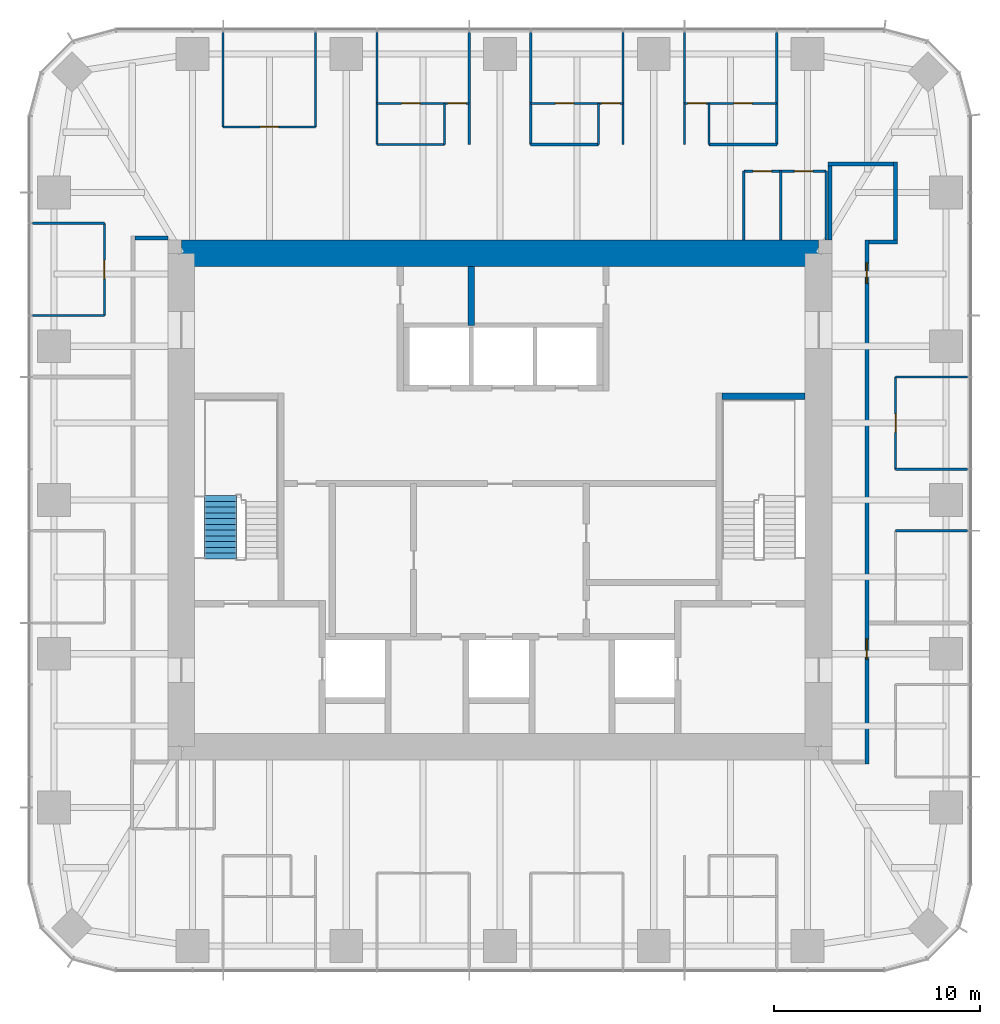
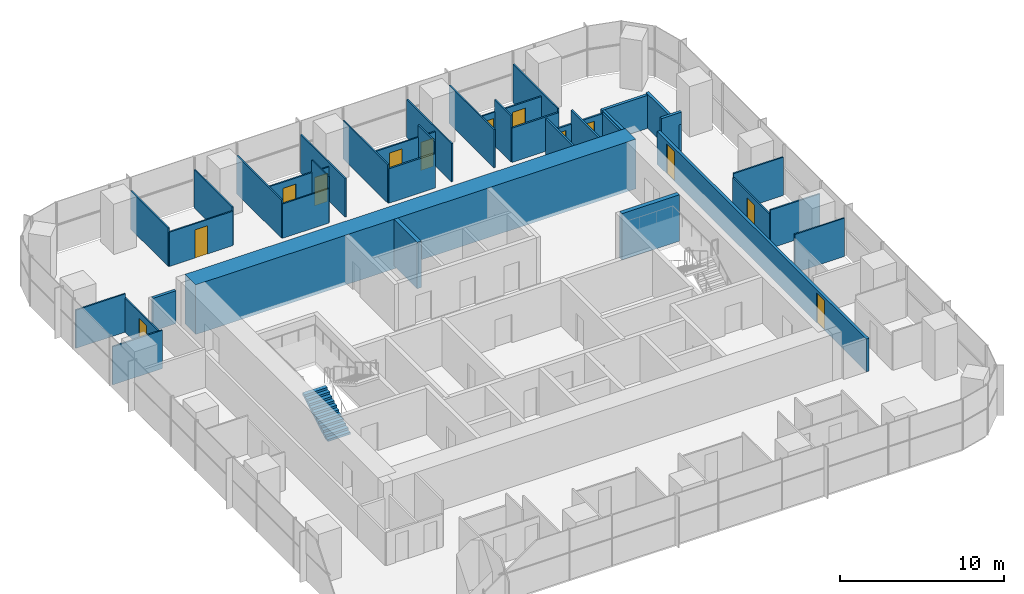
# One storey, part 11 of 13: 38 walls, 13 doors, 1 stair flight, 13 openings, 1 element without a shape of its own.
"""IFC4 building model written with IfcOpenShell, lengths in metres."""

from ifc_helpers import new_model, si_unit, direction, frame, frame_2d, origin, place, context, subcontext, project, spatial, polyline, rectangle, outline, extrude, material, layer, layer_set, type_object, element, fill, aggregate, save


model = new_model("IFC4")

# Units and contexts
model_context = context("Model", 3, precision=1e-05, world=origin(), true_north=direction((0.0, 1.0)))
body_context = subcontext(model_context, "Body", "Model", "MODEL_VIEW")
ifc_project = project(units=[si_unit("LENGTHUNIT", "METRE"), si_unit("AREAUNIT", "SQUARE_METRE"), si_unit("VOLUMEUNIT", "CUBIC_METRE"), si_unit("PLANEANGLEUNIT", "RADIAN"), si_unit("MASSUNIT", "GRAM", prefix="KILO")], contexts=[model_context])

# Site, building, storey
site_placement = place(None, origin())
site = spatial("IfcSite", under=ifc_project, at=site_placement, CompositionType="ELEMENT")
building_placement = place(site_placement, origin())
building = spatial("IfcBuilding", under=site, at=building_placement, Name="Khuree Lantern Residences", CompositionType="ELEMENT")
storey_placement = place(building_placement, frame((0.0, 0.0, 349.5)))
storey = spatial("IfcBuildingStorey", under=building, at=storey_placement, Name="L88", CompositionType="ELEMENT", Elevation=349.5)

# Walls
ifc_material_1 = material(Name="Moisture-resistant gypsum board on steel studs", Category="steel")
ifc_layer_1 = layer(ifc_material_1, 0.125)
ifc_layer_set_1 = layer_set([ifc_layer_1], Name="BATHROOM WALL BTW125")
wall_type_1 = type_object("IfcWallType", Name="BATHROOM WALL BTW125", PredefinedType="PARTITIONING", material=ifc_layer_set_1)
wall_1_placement = place(storey_placement, frame((13.464111328125, 17.29638671875, 0.0), z_axis=(0.0, 0.0, 1.0), x_axis=(-1.0, 0.0, 0.0)))
element("IfcWall", 1, at=wall_1_placement, inside=storey, type_object=wall_type_1, Name="L88 BATHROOM WALL 01", PredefinedType="PARTITIONING", context=body_context, shape_type="SweptSolid", body=[
    extrude(rectangle(XDim=3.2880859375, YDim=0.125, at=frame_2d((1.64404296875, 0.0))), origin(), (0.0, 0.0, 1.0), 2.56005859375),
])
wall_2_placement = place(storey_placement, frame((4.783935546875, 17.29638671875, 0.0), z_axis=(0.0, 0.0, 1.0), x_axis=(-1.0, 0.0, 0.0)))
element("IfcWall", 2, at=wall_2_placement, inside=storey, type_object=wall_type_1, Name="L88 BATHROOM WALL 01", PredefinedType="PARTITIONING", context=body_context, shape_type="SweptSolid", body=[
    extrude(rectangle(XDim=3.287841796875, YDim=0.125, at=frame_2d((1.64404296875, 0.0))), origin(), (0.0, 0.0, 1.0), 2.56005859375),
])

# Wall, openings, doors
wall_3_placement = place(storey_placement, frame((15.866455078125, 15.996337890625, 0.0), z_axis=(0.0, 0.0, 1.0), x_axis=(-1.0, 0.0, 0.0)))
wall_3 = element("IfcWall", 3, at=wall_3_placement, inside=storey, type_object=wall_type_1, Name="L88 BATHROOM WALL 01", PredefinedType="PARTITIONING", context=body_context, shape_type="SweptSolid", body=[
    extrude(rectangle(XDim=4.0, YDim=0.125, at=frame_2d((2.0, 0.0))), origin(), (0.0, 0.0, 1.0), 2.449951171875),
])
opening_1_placement = place(wall_3_placement, frame((0.64990234375, 0.0, 0.0)))
opening_1 = element("IfcOpeningElement", 4, at=opening_1_placement, cuts=wall_3, Name="Opening 88-032", PredefinedType="OPENING", context=body_context, shape_type="SweptSolid", body=[
    extrude(rectangle(XDim=0.89990234375, YDim=2.10009765625, at=frame_2d((0.449951171875, 1.050048828125))), frame((0.0, 0.072509765625, 0.0), z_axis=(0.0, -1.0, 0.0), x_axis=(1.0, 0.0, 0.0)), (0.0, 0.0, 1.0), 0.14501953125),
])
opening_2_placement = place(wall_3_placement, frame((2.64990234375, 0.0, 0.0)))
opening_2 = element("IfcOpeningElement", 5, at=opening_2_placement, cuts=wall_3, Name="Opening 88-033", PredefinedType="OPENING", context=body_context, shape_type="SweptSolid", body=[
    extrude(rectangle(XDim=0.89990234375, YDim=2.10009765625, at=frame_2d((0.449951171875, 1.050048828125))), frame((0.0, 0.072509765625, 0.0), z_axis=(0.0, -1.0, 0.0), x_axis=(1.0, 0.0, 0.0)), (0.0, 0.0, 1.0), 0.14501953125),
])
ifc_material_2 = material(Name="Timber door leaf in hardwood frame", Category="wood")
door_type_1 = type_object("IfcDoorType", Name="BATHROOM DOOR 900X2100", OperationType="SINGLE_SWING_LEFT", PredefinedType="DOOR", material=ifc_material_2)
door_1_placement = place(opening_1_placement, origin())
door_1 = element("IfcDoor", 6, at=door_1_placement, inside=storey, type_object=door_type_1, Name="Bathroom door 88-032", OperationType="SINGLE_SWING_LEFT", OverallHeight=2.10009765625, OverallWidth=0.89990234375, PredefinedType="DOOR", context=body_context, shape_type="SweptSolid", body=[
    extrude(rectangle(XDim=0.89990234375, YDim=2.10009765625, at=frame_2d((0.449951171875, 1.050048828125))), frame((0.0, 0.02490234375, 0.0), z_axis=(0.0, -1.0, 0.0), x_axis=(1.0, 0.0, 0.0)), (0.0, 0.0, 1.0), 0.050048828125),
])
fill(opening_1, door_1)
door_type_2 = type_object("IfcDoorType", Name="DOOR 900X2100", OperationType="SINGLE_SWING_LEFT", PredefinedType="DOOR", material=ifc_material_2)
door_2_placement = place(opening_2_placement, origin())
door_2 = element("IfcDoor", 7, at=door_2_placement, inside=storey, type_object=door_type_2, Name="Store door 88-033", OperationType="SINGLE_SWING_LEFT", OverallHeight=2.10009765625, OverallWidth=0.89990234375, PredefinedType="DOOR", context=body_context, shape_type="SweptSolid", body=[
    extrude(rectangle(XDim=0.89990234375, YDim=2.10009765625, at=frame_2d((0.449951171875, 1.050048828125))), frame((0.0, 0.02490234375, 0.0), z_axis=(0.0, -1.0, 0.0), x_axis=(1.0, 0.0, 0.0)), (0.0, 0.0, 1.0), 0.050048828125),
])
fill(opening_2, door_2)

# Walls
wall_4_placement = place(storey_placement, frame((15.866455078125, 12.64990234375, 0.0), z_axis=(0.0, 0.0, 1.0), x_axis=(0.0, 1.0, 0.0)))
element("IfcWall", 8, at=wall_4_placement, inside=storey, type_object=wall_type_1, Name="L88 BATHROOM WALL 01", PredefinedType="PARTITIONING", context=body_context, shape_type="SweptSolid", body=[
    extrude(rectangle(XDim=3.346435546875, YDim=0.125, at=frame_2d((1.67333984375, 0.0))), origin(), (0.0, 0.0, 1.0), 2.449951171875),
])
for number, where, z_axis, x_axis, name in (
    (9, (13.66650390625, 12.64990234375, 0.0), (0.0, 0.0, 1.0), (0.0, 1.0, 0.0), "L88 BATHROOM WALL 01"),
    (10, (11.866455078125, 12.64990234375, 0.0), (0.0, 0.0, 1.0), (0.0, 1.0, 0.0), "L88 BATHROOM WALL 01"),
):
    element("IfcWall", number, at=place(storey_placement, frame(where, z_axis=z_axis, x_axis=x_axis)), inside=storey, type_object=wall_type_1, Name=name, PredefinedType="PARTITIONING", context=body_context, shape_type="SweptSolid", body=[
        extrude(rectangle(XDim=3.346435546875, YDim=0.125, at=frame_2d((1.67333984375, 0.0))), origin(), (0.0, 0.0, 1.0), 3.449951171875),
    ])
ifc_material_3 = material(Name="Dense concrete blockwork", Category="masonry")
ifc_layer_2 = layer(ifc_material_3, 0.300048828125)
ifc_layer_set_2 = layer_set([ifc_layer_2], Name="CORE PARTITION WALL CPW300 EI 120")
wall_type_2 = type_object("IfcWallType", Name="CORE PARTITION WALL CPW300 EI 120", PredefinedType="PARTITIONING", material=ifc_layer_set_2)
wall_5_placement = place(storey_placement, frame((-1.39990234375, 8.5, 0.0), z_axis=(0.0, 0.0, 1.0), x_axis=(0.0, 1.0, 0.0)))
element("IfcWall", 11, at=wall_5_placement, inside=storey, type_object=wall_type_2, Name="L88 CORE WALL NX", PredefinedType="PARTITIONING", context=body_context, shape_type="SweptSolid", body=[
    extrude(rectangle(XDim=2.85009765625, YDim=0.300048828125, at=frame_2d((1.425048828125, 0.0))), origin(), (0.0, 0.0, 1.0), 3.449951171875),
])
ifc_material_4 = material(Name="Gypsum board on steel studs", Category="steel")
ifc_layer_3 = layer(ifc_material_4, 0.199951171875)
ifc_layer_set_3 = layer_set([ifc_layer_3], Name="CORRIDOR WALL CRW200 EI 60")
wall_type_3 = type_object("IfcWallType", Name="CORRIDOR WALL CRW200 EI 60", PredefinedType="PARTITIONING", material=ifc_layer_set_3)
wall_6_placement = place(storey_placement, frame((17.949951171875, 12.550048828125, 0.0), z_axis=(0.0, 0.0, 1.0), x_axis=(1.0, 0.0, 0.0)))
element("IfcWall", 12, at=wall_6_placement, inside=storey, type_object=wall_type_3, Name="L88 RESIDENTS LOUNGE WALL", PredefinedType="PARTITIONING", context=body_context, shape_type="SweptSolid", body=[
    extrude(rectangle(XDim=1.400146484375, YDim=0.199951171875, at=frame_2d((0.7001953125, 0.0))), origin(), (0.0, 0.0, 1.0), 3.449951171875),
])
wall_7_placement = place(storey_placement, frame((19.25, 12.449951171875, 0.0), z_axis=(0.0, 0.0, 1.0), x_axis=(0.0, 1.0, 0.0)))
element("IfcWall", 13, at=wall_7_placement, inside=storey, type_object=wall_type_3, Name="L88 RESIDENTS LOUNGE WALL", PredefinedType="PARTITIONING", context=body_context, shape_type="SweptSolid", body=[
    extrude(rectangle(XDim=4.0, YDim=0.199951171875, at=frame_2d((2.0, 0.0))), origin(), (0.0, 0.0, 1.0), 2.550048828125),
])
wall_8_placement = place(storey_placement, frame((19.14990234375, 16.35009765625, 0.0), z_axis=(0.0, 0.0, 1.0), x_axis=(-1.0, 0.0, 0.0)))
element("IfcWall", 14, at=wall_8_placement, inside=storey, type_object=wall_type_3, Name="L88 RESIDENTS LOUNGE WALL", PredefinedType="PARTITIONING", context=body_context, shape_type="SweptSolid", body=[
    extrude(rectangle(XDim=3.199951171875, YDim=0.199951171875, at=frame_2d((1.60009765625, 0.0))), origin(), (0.0, 0.0, 1.0), 2.449951171875),
])
wall_9_placement = place(storey_placement, frame((16.050048828125, 16.449951171875, 0.0), z_axis=(0.0, 0.0, 1.0), x_axis=(0.0, -1.0, 0.0)))
element("IfcWall", 15, at=wall_9_placement, inside=storey, type_object=wall_type_3, Name="L88 RESIDENTS LOUNGE WALL", PredefinedType="PARTITIONING", context=body_context, shape_type="SweptSolid", body=[
    extrude(rectangle(XDim=3.800048828125, YDim=0.199951171875, at=frame_2d((1.89990234375, 0.0))), origin(), (0.0, 0.0, 1.0), 2.449951171875),
])
wall_10_placement = place(storey_placement, frame((-16.14990234375, 12.75, 0.0), z_axis=(0.0, 0.0, 1.0), x_axis=(-1.0, 0.0, 0.0)))
element("IfcWall", 16, at=wall_10_placement, inside=storey, type_object=wall_type_3, Name="L88 WEST CORRIDOR NORTH END WALL", PredefinedType="PARTITIONING", context=body_context, shape_type="SweptSolid", body=[
    extrude(rectangle(XDim=1.60009765625, YDim=0.199951171875, at=frame_2d((0.800048828125, 0.0))), origin(), (0.0, 0.0, 1.0), 2.449951171875),
])

# Wall, openings, doors
wall_11_placement = place(storey_placement, frame((17.85009765625, -12.85009765625, 0.0), z_axis=(0.0, 0.0, 1.0), x_axis=(0.0, 1.0, 0.0)))
wall_11 = element("IfcWall", 17, at=wall_11_placement, inside=storey, type_object=wall_type_3, Name="L88 CORRIDOR WALL EAST 1", PredefinedType="PARTITIONING", context=body_context, shape_type="SweptSolid", body=[
    extrude(rectangle(XDim=25.5, YDim=0.199951171875, at=frame_2d((12.75, 0.0))), origin(), (0.0, 0.0, 1.0), 2.449951171875),
])
opening_3_placement = place(wall_11_placement, frame((23.385986328125, 0.0, 0.0)))
opening_3 = element("IfcOpeningElement", 18, at=opening_3_placement, cuts=wall_11, Name="Opening 88-034", PredefinedType="OPENING", context=body_context, shape_type="SweptSolid", body=[
    extrude(rectangle(XDim=1.0, YDim=2.199951171875, at=frame_2d((0.5, 1.10009765625))), frame((0.0, 0.10986328125, 0.0), z_axis=(0.0, -1.0, 0.0), x_axis=(1.0, 0.0, 0.0)), (0.0, 0.0, 1.0), 0.219970703125),
])
opening_4_placement = place(wall_11_placement, frame((5.10009765625, 0.0, 0.0)))
opening_4 = element("IfcOpeningElement", 19, at=opening_4_placement, cuts=wall_11, Name="Opening 88-045", PredefinedType="OPENING", context=body_context, shape_type="SweptSolid", body=[
    extrude(rectangle(XDim=1.0, YDim=2.199951171875, at=frame_2d((0.5, 1.10009765625))), frame((0.0, 0.10986328125, 0.0), z_axis=(0.0, -1.0, 0.0), x_axis=(1.0, 0.0, 0.0)), (0.0, 0.0, 1.0), 0.219970703125),
])
door_type_3 = type_object("IfcDoorType", Name="APARTMENT ENTRANCE DOOR 1000X2200 EI 30S", OperationType="SINGLE_SWING_LEFT", PredefinedType="DOOR", material=ifc_material_2)
door_3_placement = place(opening_3_placement, origin())
door_3 = element("IfcDoor", 20, at=door_3_placement, inside=storey, type_object=door_type_3, Name="Apartment 01 entrance door 88-034", OperationType="SINGLE_SWING_LEFT", OverallHeight=2.199951171875, OverallWidth=1.0, PredefinedType="DOOR", context=body_context, shape_type="SweptSolid", body=[
    extrude(rectangle(XDim=1.0, YDim=2.199951171875, at=frame_2d((0.5, 1.10009765625))), frame((0.0, 0.02490234375, 0.0), z_axis=(0.0, -1.0, 0.0), x_axis=(1.0, 0.0, 0.0)), (0.0, 0.0, 1.0), 0.050048828125),
])
fill(opening_3, door_3)
door_4_placement = place(opening_4_placement, origin())
door_4 = element("IfcDoor", 21, at=door_4_placement, inside=storey, type_object=door_type_3, Name="Apartment 02 entrance door 88-045", OperationType="SINGLE_SWING_LEFT", OverallHeight=2.199951171875, OverallWidth=1.0, PredefinedType="DOOR", context=body_context, shape_type="SweptSolid", body=[
    extrude(rectangle(XDim=1.0, YDim=2.199951171875, at=frame_2d((0.5, 1.10009765625))), frame((0.0, 0.02490234375, 0.0), z_axis=(0.0, -1.0, 0.0), x_axis=(1.0, 0.0, 0.0)), (0.0, 0.0, 1.0), 0.050048828125),
])
fill(opening_4, door_4)

# Walls
ifc_material_5 = material(Name="Concrete C50/60", Category="concrete")
ifc_layer_4 = layer(ifc_material_5, 1.300048828125)
ifc_layer_set_4 = layer_set([ifc_layer_4], Name="CW1300-C50 CORE WALL C50 1300")
wall_type_4 = type_object("IfcWallType", Name="CW1300-C50 CORE WALL C50 1300", PredefinedType="SHEAR", material=ifc_layer_set_4)
wall_12_placement = place(storey_placement, frame((-15.5, 12.0, -0.25), z_axis=(0.0, 0.0, 1.0), x_axis=(1.0, 0.0, 0.0)))
element("IfcWall", 22, at=wall_12_placement, inside=storey, type_object=wall_type_4, Name="Core wall N", PredefinedType="SHEAR", context=body_context, shape_type="SweptSolid", body=[
    extrude(rectangle(XDim=31.0, YDim=1.300048828125, at=frame_2d((15.5, 0.0))), origin(), (0.0, 0.0, 1.0), 3.699951171875),
])
ifc_layer_5 = layer(ifc_material_4, 0.10009765625)
ifc_layer_set_5 = layer_set([ifc_layer_5], Name="PARTITION PT100")
wall_type_5 = type_object("IfcWallType", Name="PARTITION PT100", PredefinedType="PARTITIONING", material=ifc_layer_set_5)
for number, where, z_axis, x_axis, name in (
    (23, (19.25, -1.49609375, 0.0), (0.0, 0.0, 1.0), (1.0, 0.0, 0.0), "L88 PARTITION 01"),
    (24, (19.25, 1.49609375, 0.0), (0.0, 0.0, 1.0), (1.0, 0.0, 0.0), "L88 PARTITION 01"),
    (25, (19.25, 5.98388671875, 0.0), (0.0, 0.0, 1.0), (1.0, 0.0, 0.0), "L88 PARTITION 01"),
):
    element("IfcWall", number, at=place(storey_placement, frame(where, z_axis=z_axis, x_axis=x_axis)), inside=storey, type_object=wall_type_5, Name=name, PredefinedType="PARTITIONING", context=body_context, shape_type="SweptSolid", body=[
        extrude(rectangle(XDim=3.5, YDim=0.10009765625, at=frame_2d((1.75, 0.0))), origin(), (0.0, 0.0, 1.0), 2.85009765625),
    ])
for number, where, z_axis, x_axis, name in (
    (26, (13.464111328125, 17.29638671875, 0.0), (0.0, 0.0, 1.0), (0.0, 1.0, 0.0), "L88 PARTITION 01"),
    (27, (8.97607421875, 17.29638671875, 0.0), (0.0, 0.0, 1.0), (0.0, 1.0, 0.0), "L88 PARTITION 01"),
    (28, (5.98388671875, 17.29638671875, 0.0), (0.0, 0.0, 1.0), (0.0, 1.0, 0.0), "L88 PARTITION 01"),
    (29, (1.49609375, 17.29638671875, 0.0), (0.0, 0.0, 1.0), (0.0, 1.0, 0.0), "L88 PARTITION 01"),
    (30, (-1.49609375, 17.29638671875, 0.0), (0.0, 0.0, 1.0), (0.0, 1.0, 0.0), "L88 PARTITION 01"),
    (31, (-5.98388671875, 17.29638671875, 0.0), (0.0, 0.0, 1.0), (0.0, 1.0, 0.0), "L88 PARTITION 01"),
):
    element("IfcWall", number, at=place(storey_placement, frame(where, z_axis=z_axis, x_axis=x_axis)), inside=storey, type_object=wall_type_5, Name=name, PredefinedType="PARTITIONING", context=body_context, shape_type="SweptSolid", body=[
        extrude(rectangle(XDim=5.45361328125, YDim=0.10009765625, at=frame_2d((2.726806640625, 0.0))), origin(), (0.0, 0.0, 1.0), 2.85009765625),
    ])
for number, where, z_axis, x_axis, name in (
    (32, (-8.97607421875, 18.14990234375, 0.0), (0.0, 0.0, 1.0), (0.0, 1.0, 0.0), "L88 PARTITION 01"),
    (33, (-13.464111328125, 18.14990234375, 0.0), (0.0, 0.0, 1.0), (0.0, 1.0, 0.0), "L88 PARTITION 01"),
):
    element("IfcWall", number, at=place(storey_placement, frame(where, z_axis=z_axis, x_axis=x_axis)), inside=storey, type_object=wall_type_5, Name=name, PredefinedType="PARTITIONING", context=body_context, shape_type="SweptSolid", body=[
        extrude(rectangle(XDim=4.60009765625, YDim=0.10009765625, at=frame_2d((2.300048828125, 0.0))), origin(), (0.0, 0.0, 1.0), 2.85009765625),
    ])
for number, where, z_axis, x_axis, name in (
    (34, (-19.25, 13.464111328125, 0.0), (0.0, 0.0, 1.0), (-1.0, 0.0, 0.0), "L88 PARTITION 01"),
    (35, (-19.25, 8.97607421875, 0.0), (0.0, 0.0, 1.0), (-1.0, 0.0, 0.0), "L88 PARTITION 01"),
):
    element("IfcWall", number, at=place(storey_placement, frame(where, z_axis=z_axis, x_axis=x_axis)), inside=storey, type_object=wall_type_5, Name=name, PredefinedType="PARTITIONING", context=body_context, shape_type="SweptSolid", body=[
        extrude(rectangle(XDim=3.5, YDim=0.10009765625, at=frame_2d((1.75, 0.0))), origin(), (0.0, 0.0, 1.0), 2.85009765625),
    ])

# Wall, opening, door
wall_13_placement = place(storey_placement, frame((19.25, 1.49609375, 0.0), z_axis=(0.0, 0.0, 1.0), x_axis=(0.0, 1.0, 0.0)))
wall_13 = element("IfcWall", 36, at=wall_13_placement, inside=storey, type_object=wall_type_5, Name="L88 PARTITION 01", PredefinedType="PARTITIONING", context=body_context, shape_type="SweptSolid", body=[
    extrude(rectangle(XDim=4.48779296875, YDim=0.10009765625, at=frame_2d((2.243896484375, 0.0))), origin(), (0.0, 0.0, 1.0), 2.56005859375),
])
opening_5_placement = place(wall_13_placement, frame((1.7939453125, 0.0, 0.0)))
opening_5 = element("IfcOpeningElement", 37, at=opening_5_placement, cuts=wall_13, Name="Opening 88-023", PredefinedType="OPENING", context=body_context, shape_type="SweptSolid", body=[
    extrude(rectangle(XDim=0.89990234375, YDim=2.10009765625, at=frame_2d((0.449951171875, 1.050048828125))), frame((0.0, 0.06005859375, 0.0), z_axis=(0.0, -1.0, 0.0), x_axis=(1.0, 0.0, 0.0)), (0.0, 0.0, 1.0), 0.1201171875),
])
door_type_4 = type_object("IfcDoorType", Name="BEDROOM DOOR 900X2100", OperationType="SINGLE_SWING_LEFT", PredefinedType="DOOR", material=ifc_material_2)
door_5_placement = place(opening_5_placement, origin())
door_5 = element("IfcDoor", 38, at=door_5_placement, inside=storey, type_object=door_type_4, Name="Bedroom door 88-023", OperationType="SINGLE_SWING_LEFT", OverallHeight=2.10009765625, OverallWidth=0.89990234375, PredefinedType="DOOR", context=body_context, shape_type="SweptSolid", body=[
    extrude(rectangle(XDim=0.89990234375, YDim=2.10009765625, at=frame_2d((0.449951171875, 1.050048828125))), frame((0.0, 0.02490234375, 0.0), z_axis=(0.0, -1.0, 0.0), x_axis=(1.0, 0.0, 0.0)), (0.0, 0.0, 1.0), 0.050048828125),
])
fill(opening_5, door_5)

# Wall, openings, doors
wall_14_placement = place(storey_placement, frame((13.464111328125, 19.29638671875, 0.0), z_axis=(0.0, 0.0, 1.0), x_axis=(-1.0, 0.0, 0.0)))
wall_14 = element("IfcWall", 39, at=wall_14_placement, inside=storey, type_object=wall_type_5, Name="L88 PARTITION 01", PredefinedType="PARTITIONING", context=body_context, shape_type="SweptSolid", body=[
    extrude(rectangle(XDim=4.488037109375, YDim=0.10009765625, at=frame_2d((2.244140625, 0.0))), origin(), (0.0, 0.0, 1.0), 2.56005859375),
])
opening_6_placement = place(wall_14_placement, frame((3.43798828125, 0.0, 0.0)))
opening_6 = element("IfcOpeningElement", 40, at=opening_6_placement, cuts=wall_14, Name="Opening 88-024", PredefinedType="OPENING", context=body_context, shape_type="SweptSolid", body=[
    extrude(rectangle(XDim=0.89990234375, YDim=2.10009765625, at=frame_2d((0.449951171875, 1.050048828125))), frame((0.0, 0.06005859375, 0.0), z_axis=(0.0, -1.0, 0.0), x_axis=(1.0, 0.0, 0.0)), (0.0, 0.0, 1.0), 0.1201171875),
])
opening_7_placement = place(wall_14_placement, frame((1.194091796875, 0.0, 0.0)))
opening_7 = element("IfcOpeningElement", 41, at=opening_7_placement, cuts=wall_14, Name="Opening 88-025", PredefinedType="OPENING", context=body_context, shape_type="SweptSolid", body=[
    extrude(rectangle(XDim=0.89990234375, YDim=2.10009765625, at=frame_2d((0.449951171875, 1.050048828125))), frame((0.0, 0.06005859375, 0.0), z_axis=(0.0, -1.0, 0.0), x_axis=(1.0, 0.0, 0.0)), (0.0, 0.0, 1.0), 0.1201171875),
])
door_6_placement = place(opening_7_placement, origin())
door_6 = element("IfcDoor", 42, at=door_6_placement, inside=storey, type_object=door_type_1, Name="Bathroom door 88-025", OperationType="SINGLE_SWING_LEFT", OverallHeight=2.10009765625, OverallWidth=0.89990234375, PredefinedType="DOOR", context=body_context, shape_type="SweptSolid", body=[
    extrude(rectangle(XDim=0.89990234375, YDim=2.10009765625, at=frame_2d((0.449951171875, 1.050048828125))), frame((0.0, 0.02490234375, 0.0), z_axis=(0.0, -1.0, 0.0), x_axis=(1.0, 0.0, 0.0)), (0.0, 0.0, 1.0), 0.050048828125),
])
fill(opening_7, door_6)
door_7_placement = place(opening_6_placement, origin())
door_7 = element("IfcDoor", 43, at=door_7_placement, inside=storey, type_object=door_type_4, Name="Bedroom door 88-024", OperationType="SINGLE_SWING_LEFT", OverallHeight=2.10009765625, OverallWidth=0.89990234375, PredefinedType="DOOR", context=body_context, shape_type="SweptSolid", body=[
    extrude(rectangle(XDim=0.89990234375, YDim=2.10009765625, at=frame_2d((0.449951171875, 1.050048828125))), frame((0.0, 0.02490234375, 0.0), z_axis=(0.0, -1.0, 0.0), x_axis=(1.0, 0.0, 0.0)), (0.0, 0.0, 1.0), 0.050048828125),
])
fill(opening_6, door_7)

# Wall
wall_15_placement = place(storey_placement, frame((10.176025390625, 17.29638671875, 0.0), z_axis=(0.0, 0.0, 1.0), x_axis=(0.0, 1.0, 0.0)))
element("IfcWall", 44, at=wall_15_placement, inside=storey, type_object=wall_type_5, Name="L88 PARTITION 01", PredefinedType="PARTITIONING", context=body_context, shape_type="SweptSolid", body=[
    extrude(rectangle(XDim=2.0, YDim=0.10009765625, at=frame_2d((1.0, 0.0))), origin(), (0.0, 0.0, 1.0), 3.449951171875),
])

# Wall, openings, doors
wall_16_placement = place(storey_placement, frame((5.98388671875, 19.29638671875, 0.0), z_axis=(0.0, 0.0, 1.0), x_axis=(-1.0, 0.0, 0.0)))
wall_16 = element("IfcWall", 45, at=wall_16_placement, inside=storey, type_object=wall_type_5, Name="L88 PARTITION 01", PredefinedType="PARTITIONING", context=body_context, shape_type="SweptSolid", body=[
    extrude(rectangle(XDim=4.48779296875, YDim=0.10009765625, at=frame_2d((2.243896484375, 0.0))), origin(), (0.0, 0.0, 1.0), 2.56005859375),
])
opening_8_placement = place(wall_16_placement, frame((0.14990234375, 0.0, 0.0)))
opening_8 = element("IfcOpeningElement", 46, at=opening_8_placement, cuts=wall_16, Name="Opening 88-026", PredefinedType="OPENING", context=body_context, shape_type="SweptSolid", body=[
    extrude(rectangle(XDim=0.89990234375, YDim=2.10009765625, at=frame_2d((0.449951171875, 1.050048828125))), frame((0.0, 0.06005859375, 0.0), z_axis=(0.0, -1.0, 0.0), x_axis=(1.0, 0.0, 0.0)), (0.0, 0.0, 1.0), 0.1201171875),
])
opening_9_placement = place(wall_16_placement, frame((2.39404296875, 0.0, 0.0)))
opening_9 = element("IfcOpeningElement", 47, at=opening_9_placement, cuts=wall_16, Name="Opening 88-027", PredefinedType="OPENING", context=body_context, shape_type="SweptSolid", body=[
    extrude(rectangle(XDim=0.89990234375, YDim=2.10009765625, at=frame_2d((0.449951171875, 1.050048828125))), frame((0.0, 0.06005859375, 0.0), z_axis=(0.0, -1.0, 0.0), x_axis=(1.0, 0.0, 0.0)), (0.0, 0.0, 1.0), 0.1201171875),
])
door_8_placement = place(opening_9_placement, origin())
door_8 = element("IfcDoor", 48, at=door_8_placement, inside=storey, type_object=door_type_1, Name="Bathroom door 88-027", OperationType="SINGLE_SWING_LEFT", OverallHeight=2.10009765625, OverallWidth=0.89990234375, PredefinedType="DOOR", context=body_context, shape_type="SweptSolid", body=[
    extrude(rectangle(XDim=0.89990234375, YDim=2.10009765625, at=frame_2d((0.449951171875, 1.050048828125))), frame((0.0, 0.02490234375, 0.0), z_axis=(0.0, -1.0, 0.0), x_axis=(1.0, 0.0, 0.0)), (0.0, 0.0, 1.0), 0.050048828125),
])
fill(opening_9, door_8)
door_9_placement = place(opening_8_placement, origin())
door_9 = element("IfcDoor", 49, at=door_9_placement, inside=storey, type_object=door_type_4, Name="Bedroom door 88-026", OperationType="SINGLE_SWING_LEFT", OverallHeight=2.10009765625, OverallWidth=0.89990234375, PredefinedType="DOOR", context=body_context, shape_type="SweptSolid", body=[
    extrude(rectangle(XDim=0.89990234375, YDim=2.10009765625, at=frame_2d((0.449951171875, 1.050048828125))), frame((0.0, 0.02490234375, 0.0), z_axis=(0.0, -1.0, 0.0), x_axis=(1.0, 0.0, 0.0)), (0.0, 0.0, 1.0), 0.050048828125),
])
fill(opening_8, door_9)

# Wall
wall_17_placement = place(storey_placement, frame((4.783935546875, 17.29638671875, 0.0), z_axis=(0.0, 0.0, 1.0), x_axis=(0.0, 1.0, 0.0)))
element("IfcWall", 50, at=wall_17_placement, inside=storey, type_object=wall_type_5, Name="L88 PARTITION 01", PredefinedType="PARTITIONING", context=body_context, shape_type="SweptSolid", body=[
    extrude(rectangle(XDim=2.0, YDim=0.10009765625, at=frame_2d((1.0, 0.0))), origin(), (0.0, 0.0, 1.0), 3.449951171875),
])

# Wall, openings, doors
wall_18_placement = place(storey_placement, frame((-1.49609375, 19.29638671875, 0.0), z_axis=(0.0, 0.0, 1.0), x_axis=(-1.0, 0.0, 0.0)))
wall_18 = element("IfcWall", 51, at=wall_18_placement, inside=storey, type_object=wall_type_5, Name="L88 PARTITION 01", PredefinedType="PARTITIONING", context=body_context, shape_type="SweptSolid", body=[
    extrude(rectangle(XDim=4.48779296875, YDim=0.10009765625, at=frame_2d((2.243896484375, 0.0))), origin(), (0.0, 0.0, 1.0), 2.56005859375),
])
opening_10_placement = place(wall_18_placement, frame((0.14990234375, 0.0, 0.0)))
opening_10 = element("IfcOpeningElement", 52, at=opening_10_placement, cuts=wall_18, Name="Opening 88-028", PredefinedType="OPENING", context=body_context, shape_type="SweptSolid", body=[
    extrude(rectangle(XDim=0.89990234375, YDim=2.10009765625, at=frame_2d((0.449951171875, 1.050048828125))), frame((0.0, 0.06005859375, 0.0), z_axis=(0.0, -1.0, 0.0), x_axis=(1.0, 0.0, 0.0)), (0.0, 0.0, 1.0), 0.1201171875),
])
opening_11_placement = place(wall_18_placement, frame((2.39404296875, 0.0, 0.0)))
opening_11 = element("IfcOpeningElement", 53, at=opening_11_placement, cuts=wall_18, Name="Opening 88-029", PredefinedType="OPENING", context=body_context, shape_type="SweptSolid", body=[
    extrude(rectangle(XDim=0.89990234375, YDim=2.10009765625, at=frame_2d((0.449951171875, 1.050048828125))), frame((0.0, 0.06005859375, 0.0), z_axis=(0.0, -1.0, 0.0), x_axis=(1.0, 0.0, 0.0)), (0.0, 0.0, 1.0), 0.1201171875),
])
door_10_placement = place(opening_10_placement, origin())
door_10 = element("IfcDoor", 54, at=door_10_placement, inside=storey, type_object=door_type_4, Name="Bedroom door 88-028", OperationType="SINGLE_SWING_LEFT", OverallHeight=2.10009765625, OverallWidth=0.89990234375, PredefinedType="DOOR", context=body_context, shape_type="SweptSolid", body=[
    extrude(rectangle(XDim=0.89990234375, YDim=2.10009765625, at=frame_2d((0.449951171875, 1.050048828125))), frame((0.0, 0.02490234375, 0.0), z_axis=(0.0, -1.0, 0.0), x_axis=(1.0, 0.0, 0.0)), (0.0, 0.0, 1.0), 0.050048828125),
])
fill(opening_10, door_10)
door_11_placement = place(opening_11_placement, origin())
door_11 = element("IfcDoor", 55, at=door_11_placement, inside=storey, type_object=door_type_2, Name="Wardrobe door 88-029", OperationType="SINGLE_SWING_LEFT", OverallHeight=2.10009765625, OverallWidth=0.89990234375, PredefinedType="DOOR", context=body_context, shape_type="SweptSolid", body=[
    extrude(rectangle(XDim=0.89990234375, YDim=2.10009765625, at=frame_2d((0.449951171875, 1.050048828125))), frame((0.0, 0.02490234375, 0.0), z_axis=(0.0, -1.0, 0.0), x_axis=(1.0, 0.0, 0.0)), (0.0, 0.0, 1.0), 0.050048828125),
])
fill(opening_11, door_11)

# Walls
wall_19_placement = place(storey_placement, frame((-2.696044921875, 17.29638671875, 0.0), z_axis=(0.0, 0.0, 1.0), x_axis=(0.0, 1.0, 0.0)))
element("IfcWall", 56, at=wall_19_placement, inside=storey, type_object=wall_type_5, Name="L88 PARTITION 01", PredefinedType="PARTITIONING", context=body_context, shape_type="SweptSolid", body=[
    extrude(rectangle(XDim=2.0, YDim=0.10009765625, at=frame_2d((1.0, 0.0))), origin(), (0.0, 0.0, 1.0), 3.449951171875),
])
wall_20_placement = place(storey_placement, frame((-2.696044921875, 17.29638671875, 0.0), z_axis=(0.0, 0.0, 1.0), x_axis=(-1.0, 0.0, 0.0)))
element("IfcWall", 57, at=wall_20_placement, inside=storey, type_object=wall_type_5, Name="L88 PARTITION 01", PredefinedType="PARTITIONING", context=body_context, shape_type="SweptSolid", body=[
    extrude(rectangle(XDim=3.287841796875, YDim=0.10009765625, at=frame_2d((1.64404296875, 0.0))), origin(), (0.0, 0.0, 1.0), 2.56005859375),
])

# Wall, opening, door
wall_21_placement = place(storey_placement, frame((-8.97607421875, 18.14990234375, 0.0), z_axis=(0.0, 0.0, 1.0), x_axis=(-1.0, 0.0, 0.0)))
wall_21 = element("IfcWall", 58, at=wall_21_placement, inside=storey, type_object=wall_type_5, Name="L88 PARTITION 01", PredefinedType="PARTITIONING", context=body_context, shape_type="SweptSolid", body=[
    extrude(rectangle(XDim=4.488037109375, YDim=0.10009765625, at=frame_2d((2.244140625, 0.0))), origin(), (0.0, 0.0, 1.0), 2.56005859375),
])
opening_12_placement = place(wall_21_placement, frame((1.7939453125, 0.0, 0.0)))
opening_12 = element("IfcOpeningElement", 59, at=opening_12_placement, cuts=wall_21, Name="Opening 88-030", PredefinedType="OPENING", context=body_context, shape_type="SweptSolid", body=[
    extrude(rectangle(XDim=0.89990234375, YDim=2.10009765625, at=frame_2d((0.449951171875, 1.050048828125))), frame((0.0, 0.06005859375, 0.0), z_axis=(0.0, -1.0, 0.0), x_axis=(1.0, 0.0, 0.0)), (0.0, 0.0, 1.0), 0.1201171875),
])
door_12_placement = place(opening_12_placement, origin())
door_12 = element("IfcDoor", 60, at=door_12_placement, inside=storey, type_object=door_type_4, Name="Bedroom door 88-030", OperationType="SINGLE_SWING_LEFT", OverallHeight=2.10009765625, OverallWidth=0.89990234375, PredefinedType="DOOR", context=body_context, shape_type="SweptSolid", body=[
    extrude(rectangle(XDim=0.89990234375, YDim=2.10009765625, at=frame_2d((0.449951171875, 1.050048828125))), frame((0.0, 0.02490234375, 0.0), z_axis=(0.0, -1.0, 0.0), x_axis=(1.0, 0.0, 0.0)), (0.0, 0.0, 1.0), 0.050048828125),
])
fill(opening_12, door_12)

wall_22_placement = place(storey_placement, frame((-19.25, 13.464111328125, 0.0), z_axis=(0.0, 0.0, 1.0), x_axis=(0.0, -1.0, 0.0)))
wall_22 = element("IfcWall", 61, at=wall_22_placement, inside=storey, type_object=wall_type_5, Name="L88 PARTITION 01", PredefinedType="PARTITIONING", context=body_context, shape_type="SweptSolid", body=[
    extrude(rectangle(XDim=4.488037109375, YDim=0.10009765625, at=frame_2d((2.244140625, 0.0))), origin(), (0.0, 0.0, 1.0), 2.56005859375),
])
opening_13_placement = place(wall_22_placement, frame((1.7939453125, 0.0, 0.0)))
opening_13 = element("IfcOpeningElement", 62, at=opening_13_placement, cuts=wall_22, Name="Opening 88-031", PredefinedType="OPENING", context=body_context, shape_type="SweptSolid", body=[
    extrude(rectangle(XDim=0.89990234375, YDim=2.10009765625, at=frame_2d((0.449951171875, 1.050048828125))), frame((0.0, 0.06005859375, 0.0), z_axis=(0.0, -1.0, 0.0), x_axis=(1.0, 0.0, 0.0)), (0.0, 0.0, 1.0), 0.1201171875),
])
door_13_placement = place(opening_13_placement, origin())
door_13 = element("IfcDoor", 63, at=door_13_placement, inside=storey, type_object=door_type_4, Name="Bedroom door 88-031", OperationType="SINGLE_SWING_LEFT", OverallHeight=2.10009765625, OverallWidth=0.89990234375, PredefinedType="DOOR", context=body_context, shape_type="SweptSolid", body=[
    extrude(rectangle(XDim=0.89990234375, YDim=2.10009765625, at=frame_2d((0.449951171875, 1.050048828125))), frame((0.0, 0.02490234375, 0.0), z_axis=(0.0, -1.0, 0.0), x_axis=(1.0, 0.0, 0.0)), (0.0, 0.0, 1.0), 0.050048828125),
])
fill(opening_13, door_13)

# Wall
ifc_layer_6 = layer(ifc_material_5, 0.300048828125)
ifc_layer_set_6 = layer_set([ifc_layer_6], Name="STAIR WALL SRW300 C50/60 REI 240")
wall_type_6 = type_object("IfcWallType", Name="STAIR WALL SRW300 C50/60 REI 240", PredefinedType="SOLIDWALL", material=ifc_layer_set_6)
wall_23_placement = place(storey_placement, frame((14.85009765625, 5.050048828125, 0.0), z_axis=(0.0, 0.0, 1.0), x_axis=(-1.0, 0.0, 0.0)))
element("IfcWall", 64, at=wall_23_placement, inside=storey, type_object=wall_type_6, Name="L88 STAIR WALL ST2N", PredefinedType="SOLIDWALL", context=body_context, shape_type="SweptSolid", body=[
    extrude(rectangle(XDim=4.050048828125, YDim=0.300048828125, at=frame_2d((2.02490234375, 0.0))), origin(), (0.0, 0.0, 1.0), 3.449951171875),
])

# Stair, stair flight
ifc_material_6 = material(Name="Concrete C40/50", Category="concrete")
stair_type = type_object("IfcStairType", Name="STAIR ST1 HALF TURN 3600", PredefinedType="HALF_TURN_STAIR", material=ifc_material_6)
stair_placement = place(storey_placement, origin())
stair = element("IfcStair", 65, at=stair_placement, inside=storey, type_object=stair_type, Name="Stair ST1", PredefinedType="HALF_TURN_STAIR")
stair_flight_type = type_object("IfcStairFlightType", Name="STAIR FLIGHT SF1 1600", PredefinedType="STRAIGHT", material=ifc_material_6)
stair_flight_placement = place(storey_placement, frame((-13.60009765625, -2.860107421875, 0.0), z_axis=(0.0, 0.0, 1.0), x_axis=(0.0, 1.0, 0.0)))
stair_flight = element("IfcStairFlight", 66, at=stair_flight_placement, type_object=stair_flight_type, Name="ST1 flight 1", NumberOfRisers=12, NumberOfTreads=11, PredefinedType="STRAIGHT", RiserHeight=0.163043478, TreadLength=0.28, context=body_context, shape_type="SweptSolid", body=[
    extrude(outline(polyline([(0.0, 0.0), (0.0, 0.1630859375), (0.280029296875, 0.1630859375), (0.280029296875, 0.326171875), (0.56005859375, 0.326171875), (0.56005859375, 0.489013671875), (0.840087890625, 0.489013671875), (0.840087890625, 0.652099609375), (1.1201171875, 0.652099609375), (1.1201171875, 0.815185546875), (1.39990234375, 0.815185546875), (1.39990234375, 0.978271484375), (1.679931640625, 0.978271484375), (1.679931640625, 1.141357421875), (1.9599609375, 1.141357421875), (1.9599609375, 1.304443359375), (2.239990234375, 1.304443359375), (2.239990234375, 1.46728515625), (2.52001953125, 1.46728515625), (2.52001953125, 1.63037109375), (2.800048828125, 1.63037109375), (2.800048828125, 1.79345703125), (3.080078125, 1.79345703125), (3.080078125, 1.95654296875), (3.080078125, 1.6201171875), (0.2978515625, 0.0), (0.0, 0.0)])), frame((0.0, 0.800048828125, 0.0), z_axis=(0.0, -1.0, 0.0), x_axis=(1.0, 0.0, 0.0)), (0.0, 0.0, 1.0), 1.60009765625),
])
aggregate(stair, [stair_flight])

save(model, "model.ifc")
